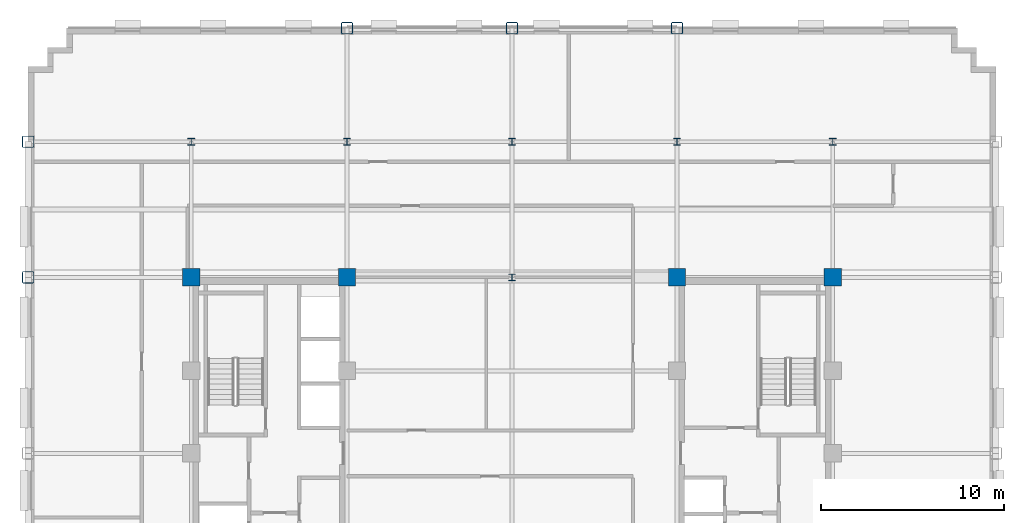
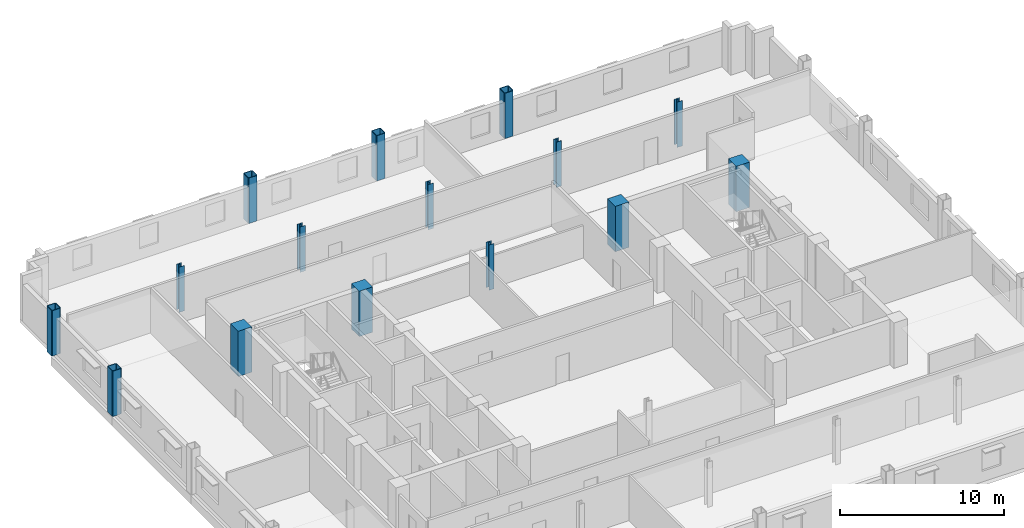
# One storey, part 3 of 14: 15 columns.
"""IFC4 building model written with IfcOpenShell, lengths in metres."""

from ifc_helpers import new_model, si_unit, direction, frame, origin, origin_2d, place, context, subcontext, project, spatial, rectangle, hollow_rectangle, i_section, extrude, material, material_profile, profile_set, type_object, element, save


model = new_model("IFC4")

# Units and contexts
model_context = context("Model", 3, precision=1e-05, world=origin(), true_north=direction((0.0, 1.0)))
body_context = subcontext(model_context, "Body", "Model", "MODEL_VIEW")
ifc_project = project(units=[si_unit("LENGTHUNIT", "METRE"), si_unit("AREAUNIT", "SQUARE_METRE"), si_unit("VOLUMEUNIT", "CUBIC_METRE"), si_unit("PLANEANGLEUNIT", "RADIAN"), si_unit("MASSUNIT", "GRAM", prefix="KILO")], contexts=[model_context])

# Site, building, storey
site_placement = place(None, origin())
site = spatial("IfcSite", under=ifc_project, at=site_placement, CompositionType="ELEMENT")
building_placement = place(site_placement, origin())
building = spatial("IfcBuilding", under=site, at=building_placement, Name="Nuvemarco Arch Tower", CompositionType="ELEMENT")
storey_placement = place(building_placement, frame((0.0, 0.0, 134.800048828125)))
storey = spatial("IfcBuildingStorey", under=building, at=storey_placement, Name="L35", CompositionType="ELEMENT", Elevation=134.800048828125)

# Columns
ifc_material_1 = material(Name="Concrete C50/60", Category="concrete")
ifc_material_profile_1 = material_profile(ifc_material_1, rectangle(XDim=0.949951171875, YDim=0.949951171875, at=origin_2d()), Name="RC-COL-950x950")
ifc_profile_set_1 = profile_set([ifc_material_profile_1], Name="Concrete C50/60")
column_type_1 = type_object("IfcColumnType", Name="COL-CORE-950", PredefinedType="COLUMN", material=ifc_profile_set_1)
for number, where, z_axis, x_axis, name in (
    (1, (-17.5, 9.60009765625, 0.0), (0.0, 0.0, 1.0), (1.0, 0.0, 0.0), "L35 column CC_-17.5_+9.6"),
    (2, (-9.0, 9.60009765625, 0.0), (0.0, 0.0, 1.0), (1.0, 0.0, 0.0), "L35 column CC_-9.0_+9.6"),
    (3, (9.0, 9.60009765625, 0.0), (0.0, 0.0, 1.0), (1.0, 0.0, 0.0), "L35 column CC_+9.0_+9.6"),
    (4, (17.5, 9.60009765625, 0.0), (0.0, 0.0, 1.0), (1.0, 0.0, 0.0), "L35 column CC_+17.5_+9.6"),
):
    element("IfcColumn", number, at=place(storey_placement, frame(where, z_axis=z_axis, x_axis=x_axis)), inside=storey, type_object=column_type_1, Name=name, PredefinedType="COLUMN", context=body_context, shape_type="SweptSolid", body=[
        extrude(rectangle(XDim=0.949951171875, YDim=0.949951171875, at=origin_2d()), origin(), (0.0, 0.0, 1.0), 3.369873046875),
    ])
ifc_material_2 = material(Name="Steel S355", Category="steel")
ifc_material_profile_2 = material_profile(ifc_material_2, hollow_rectangle(XDim=0.64990234375, YDim=0.64990234375, WallThickness=0.0400390625, InnerFilletRadius=0.0400390625, OuterFilletRadius=0.080078125, at=origin_2d()), Name="SHS650x650x40")
ifc_profile_set_2 = profile_set([ifc_material_profile_2], Name="Steel S355")
column_type_2 = type_object("IfcColumnType", Name="COL-EXO-650", PredefinedType="COLUMN", material=ifc_profile_set_2)
for number, where, z_axis, x_axis, name in (
    (5, (-26.39990234375, 9.60009765625, 0.0), (0.0, 0.0, 1.0), (1.0, 0.0, 0.0), "L35 column CX_-26.4_+9.6"),
    (6, (-26.39990234375, 17.0, 0.0), (0.0, 0.0, 1.0), (1.0, 0.0, 0.0), "L35 column CX_-26.4_+17.0"),
    (7, (-9.0, 23.199951171875, 0.0), (0.0, 0.0, 1.0), (1.0, 0.0, 0.0), "L35 column CY_-9.0_+23.2"),
    (8, (0.0, 23.199951171875, 0.0), (0.0, 0.0, 1.0), (1.0, 0.0, 0.0), "L35 column CY_+0.0_+23.2"),
    (9, (9.0, 23.199951171875, 0.0), (0.0, 0.0, 1.0), (1.0, 0.0, 0.0), "L35 column CY_+9.0_+23.2"),
):
    element("IfcColumn", number, at=place(storey_placement, frame(where, z_axis=z_axis, x_axis=x_axis)), inside=storey, type_object=column_type_2, Name=name, PredefinedType="COLUMN", context=body_context, shape_type="SweptSolid", body=[
        extrude(hollow_rectangle(XDim=0.64990234375, YDim=0.64990234375, WallThickness=0.0400390625, InnerFilletRadius=0.0400390625, OuterFilletRadius=0.080078125, at=origin_2d()), origin(), (0.0, 0.0, 1.0), 3.369873046875),
    ])
ifc_material_profile_3 = material_profile(ifc_material_2, i_section(OverallWidth=0.360107421875, OverallDepth=0.360107421875, WebThickness=0.0205078125, FlangeThickness=0.0205078125, FilletRadius=0.01806640625, at=origin_2d()), Name="HP360x174")
ifc_profile_set_3 = profile_set([ifc_material_profile_3], Name="Steel S355")
column_type_3 = type_object("IfcColumnType", Name="COL-STL-HP360", PredefinedType="COLUMN", material=ifc_profile_set_3)
for number, where, z_axis, x_axis, name in (
    (10, (0.0, 9.60009765625, 0.0), (0.0, 0.0, 1.0), (1.0, 0.0, 0.0), "L35 column CI_+0.0_+9.6"),
    (11, (0.0, 17.0, 0.0), (0.0, 0.0, 1.0), (1.0, 0.0, 0.0), "L35 column CI_+0.0_+17.0"),
    (12, (-17.5, 17.0, 0.0), (0.0, 0.0, 1.0), (1.0, 0.0, 0.0), "L35 column CI_-17.5_+17.0"),
    (13, (-9.0, 17.0, 0.0), (0.0, 0.0, 1.0), (1.0, 0.0, 0.0), "L35 column CI_-9.0_+17.0"),
    (14, (9.0, 17.0, 0.0), (0.0, 0.0, 1.0), (1.0, 0.0, 0.0), "L35 column CI_+9.0_+17.0"),
    (15, (17.5, 17.0, 0.0), (0.0, 0.0, 1.0), (1.0, 0.0, 0.0), "L35 column CI_+17.5_+17.0"),
):
    element("IfcColumn", number, at=place(storey_placement, frame(where, z_axis=z_axis, x_axis=x_axis)), inside=storey, type_object=column_type_3, Name=name, PredefinedType="COLUMN", context=body_context, shape_type="SweptSolid", body=[
        extrude(i_section(OverallWidth=0.360107421875, OverallDepth=0.360107421875, WebThickness=0.0205078125, FlangeThickness=0.0205078125, FilletRadius=0.01806640625, at=origin_2d()), origin(), (0.0, 0.0, 1.0), 3.369873046875),
    ])

save(model, "model.ifc")
